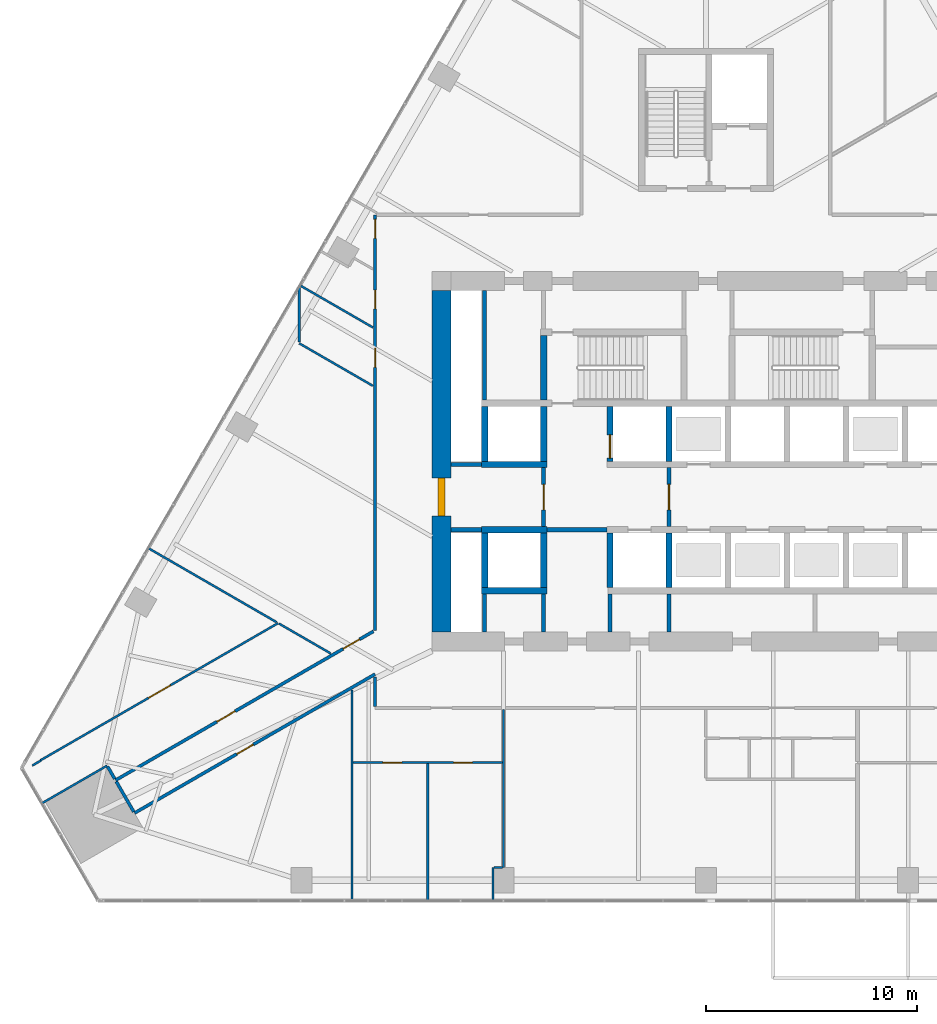
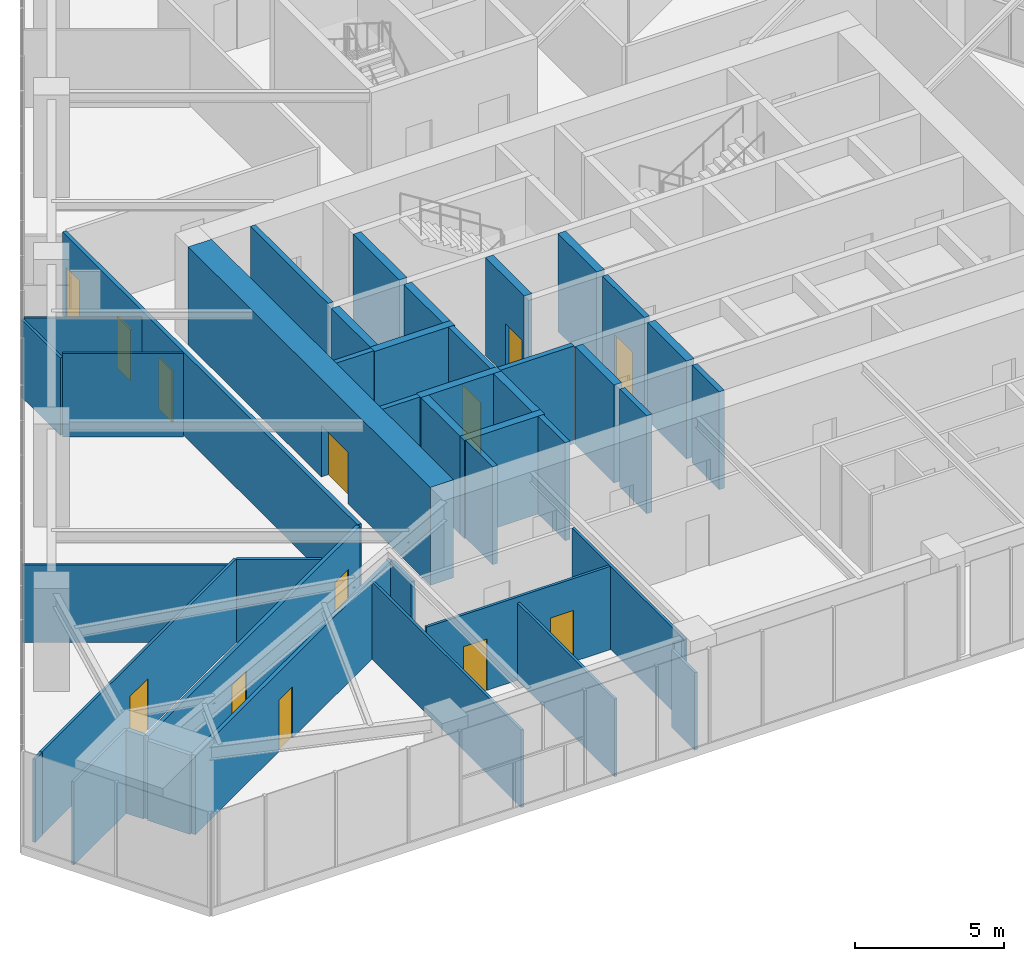
# One storey, part 23 of 29: 43 walls, 13 doors, 13 openings.
"""IFC4 building model written with IfcOpenShell, lengths in metres."""

from ifc_helpers import new_model, si_unit, direction, frame, frame_2d, origin, place, context, subcontext, project, spatial, rectangle, extrude, material, layer, layer_set, type_object, element, fill, save


model = new_model("IFC4")

# Units and contexts
model_context = context("Model", 3, precision=1e-05, world=origin(), true_north=direction((0.0, 1.0)))
body_context = subcontext(model_context, "Body", "Model", "MODEL_VIEW")
ifc_project = project(units=[si_unit("LENGTHUNIT", "METRE"), si_unit("AREAUNIT", "SQUARE_METRE"), si_unit("VOLUMEUNIT", "CUBIC_METRE"), si_unit("PLANEANGLEUNIT", "RADIAN"), si_unit("MASSUNIT", "GRAM", prefix="KILO")], contexts=[model_context])

# Site, building, storey
site_placement = place(None, origin())
site = spatial("IfcSite", under=ifc_project, at=site_placement, CompositionType="ELEMENT")
building_placement = place(site_placement, origin())
building = spatial("IfcBuilding", under=site, at=building_placement, Name="Firuza Gate Tower and Library", CompositionType="ELEMENT")
storey_placement = place(building_placement, frame((0.0, 0.0, 44.199951171875)))
storey = spatial("IfcBuildingStorey", under=building, at=storey_placement, Name="L09", CompositionType="ELEMENT", Elevation=44.199951171875)

# Walls
ifc_material_1 = material(Name="Plasterboard on steel studs", Category="steel")
ifc_layer_1 = layer(ifc_material_1, 0.199951171875)
ifc_layer_set_1 = layer_set([ifc_layer_1], Name="Core partition 200 EI 120")
wall_type_1 = type_object("IfcWallType", Name="Core partition 200 EI 120", PredefinedType="PARTITIONING", material=ifc_layer_set_1)
wall_1_placement = place(storey_placement, frame((62.89990234375, 71.75, 0.0), z_axis=(0.0, 0.0, 1.0), x_axis=(1.0, 0.0, 0.0)))
element("IfcWall", 1, at=wall_1_placement, inside=storey, type_object=wall_type_1, Name="Core partition L09 1", PredefinedType="PARTITIONING", context=body_context, shape_type="SweptSolid", body=[
    extrude(rectangle(XDim=1.4501953125, YDim=0.199951171875, at=frame_2d((0.72509765625, 0.0))), origin(), (0.0, 0.0, 1.0), 4.0),
])
wall_2_placement = place(storey_placement, frame((67.449951171875, 71.75, 0.0), z_axis=(0.0, 0.0, 1.0), x_axis=(1.0, 0.0, 0.0)))
element("IfcWall", 2, at=wall_2_placement, inside=storey, type_object=wall_type_1, Name="Core partition L09 2", PredefinedType="PARTITIONING", context=body_context, shape_type="SweptSolid", body=[
    extrude(rectangle(XDim=2.85009765625, YDim=0.199951171875, at=frame_2d((1.425048828125, 0.0))), origin(), (0.0, 0.0, 1.0), 4.0),
])
wall_3_placement = place(storey_placement, frame((62.89990234375, 74.85009765625, 0.0), z_axis=(0.0, 0.0, 1.0), x_axis=(1.0, 0.0, 0.0)))
element("IfcWall", 3, at=wall_3_placement, inside=storey, type_object=wall_type_1, Name="Core partition L09 3", PredefinedType="PARTITIONING", context=body_context, shape_type="SweptSolid", body=[
    extrude(rectangle(XDim=1.4501953125, YDim=0.199951171875, at=frame_2d((0.72509765625, 0.0))), origin(), (0.0, 0.0, 1.0), 4.0),
])
wall_4_placement = place(storey_placement, frame((64.5, 66.89990234375, 0.0), z_axis=(0.0, 0.0, 1.0), x_axis=(0.0, 1.0, 0.0)))
element("IfcWall", 4, at=wall_4_placement, inside=storey, type_object=wall_type_1, Name="Core partition L09 5", PredefinedType="PARTITIONING", context=body_context, shape_type="SweptSolid", body=[
    extrude(rectangle(XDim=1.800048828125, YDim=0.199951171875, at=frame_2d((0.89990234375, 0.0))), origin(), (0.0, 0.0, 1.0), 4.0),
])
wall_5_placement = place(storey_placement, frame((64.5, 77.89990234375, 0.0), z_axis=(0.0, 0.0, 1.0), x_axis=(0.0, 1.0, 0.0)))
element("IfcWall", 5, at=wall_5_placement, inside=storey, type_object=wall_type_1, Name="Core partition L09 6", PredefinedType="PARTITIONING", context=body_context, shape_type="SweptSolid", body=[
    extrude(rectangle(XDim=5.2001953125, YDim=0.199951171875, at=frame_2d((2.60009765625, 0.0))), origin(), (0.0, 0.0, 1.0), 4.0),
])
for number, where, z_axis, x_axis, name in (
    (6, (67.300048828125, 66.89990234375, 0.0), (0.0, 0.0, 1.0), (0.0, 1.0, 0.0), "Core partition L09 7"),
    (7, (70.449951171875, 66.89990234375, 0.0), (0.0, 0.0, 1.0), (0.0, 1.0, 0.0), "Core partition L09 10"),
    (8, (73.25, 66.89990234375, 0.0), (0.0, 0.0, 1.0), (0.0, 1.0, 0.0), "Core partition L09 11"),
):
    element("IfcWall", number, at=place(storey_placement, frame(where, z_axis=z_axis, x_axis=x_axis)), inside=storey, type_object=wall_type_1, Name=name, PredefinedType="PARTITIONING", context=body_context, shape_type="SweptSolid", body=[
        extrude(rectangle(XDim=1.800048828125, YDim=0.199951171875, at=frame_2d((0.89990234375, 0.0))), origin(), (0.0, 0.0, 1.0), 4.0),
    ])

# Wall, opening, door
ifc_material_2 = material(Name="Plasterboard on steel studs", Category="steel")
ifc_layer_2 = layer(ifc_material_2, 0.199951171875)
ifc_layer_set_2 = layer_set([ifc_layer_2], Name="Core partition 200 EI 60")
wall_type_2 = type_object("IfcWallType", Name="Core partition 200 EI 60", PredefinedType="PARTITIONING", material=ifc_layer_set_2)
wall_6_placement = place(storey_placement, frame((67.300048828125, 71.89990234375, 0.0), z_axis=(0.0, 0.0, 1.0), x_axis=(0.0, 1.0, 0.0)))
wall_6 = element("IfcWall", 9, at=wall_6_placement, inside=storey, type_object=wall_type_2, Name="Core partition L09 8", PredefinedType="PARTITIONING", context=body_context, shape_type="SweptSolid", body=[
    extrude(rectangle(XDim=2.800048828125, YDim=0.199951171875, at=frame_2d((1.39990234375, 0.0))), origin(), (0.0, 0.0, 1.0), 4.0),
])
opening_1_placement = place(wall_6_placement, frame((0.800048828125, 0.0, 0.0)))
opening_1 = element("IfcOpeningElement", 10, at=opening_1_placement, cuts=wall_6, Name="Opening L09-K21", PredefinedType="OPENING", context=body_context, shape_type="SweptSolid", body=[
    extrude(rectangle(XDim=1.199951171875, YDim=2.10009765625, at=frame_2d((0.60009765625, 1.050048828125))), frame((0.0, 0.10986328125, 0.0), z_axis=(0.0, -1.0, 0.0), x_axis=(1.0, 0.0, 0.0)), (0.0, 0.0, 1.0), 0.219970703125),
])
ifc_material_3 = material(Name="Steel", Category="steel")
door_type_1 = type_object("IfcDoorType", Name="Fire door 1200x2100 FD90S", OperationType="NOTDEFINED", PredefinedType="DOOR", material=ifc_material_3)
door_1_placement = place(opening_1_placement, origin())
door_1 = element("IfcDoor", 11, at=door_1_placement, inside=storey, type_object=door_type_1, Name="Door L09-K21", OperationType="SINGLE_SWING_RIGHT", OverallHeight=2.10009765625, OverallWidth=1.199951171875, PredefinedType="DOOR", context=body_context, shape_type="SweptSolid", body=[
    extrude(rectangle(XDim=1.199951171875, YDim=2.10009765625, at=frame_2d((0.60009765625, 1.050048828125))), frame((0.0, 0.02490234375, 0.0), z_axis=(0.0, -1.0, 0.0), x_axis=(1.0, 0.0, 0.0)), (0.0, 0.0, 1.0), 0.050048828125),
])
fill(opening_1, door_1)

wall_7_placement = place(storey_placement, frame((73.25, 71.89990234375, 0.0), z_axis=(0.0, 0.0, 1.0), x_axis=(0.0, 1.0, 0.0)))
wall_7 = element("IfcWall", 12, at=wall_7_placement, inside=storey, type_object=wall_type_2, Name="Core partition L09 12", PredefinedType="PARTITIONING", context=body_context, shape_type="SweptSolid", body=[
    extrude(rectangle(XDim=2.800048828125, YDim=0.199951171875, at=frame_2d((1.39990234375, 0.0))), origin(), (0.0, 0.0, 1.0), 4.0),
])
opening_2_placement = place(wall_7_placement, frame((0.800048828125, 0.0, 0.0)))
opening_2 = element("IfcOpeningElement", 13, at=opening_2_placement, cuts=wall_7, Name="Opening L09-K20", PredefinedType="OPENING", context=body_context, shape_type="SweptSolid", body=[
    extrude(rectangle(XDim=1.199951171875, YDim=2.10009765625, at=frame_2d((0.60009765625, 1.050048828125))), frame((0.0, 0.10986328125, 0.0), z_axis=(0.0, -1.0, 0.0), x_axis=(1.0, 0.0, 0.0)), (0.0, 0.0, 1.0), 0.219970703125),
])
door_2_placement = place(opening_2_placement, origin())
door_2 = element("IfcDoor", 14, at=door_2_placement, inside=storey, type_object=door_type_1, Name="Door L09-K20", OperationType="SINGLE_SWING_LEFT", OverallHeight=2.10009765625, OverallWidth=1.199951171875, PredefinedType="DOOR", context=body_context, shape_type="SweptSolid", body=[
    extrude(rectangle(XDim=1.199951171875, YDim=2.10009765625, at=frame_2d((0.60009765625, 1.050048828125))), frame((0.0, 0.02490234375, 0.0), z_axis=(0.0, -1.0, 0.0), x_axis=(1.0, 0.0, 0.0)), (0.0, 0.0, 1.0), 0.050048828125),
])
fill(opening_2, door_2)

# Walls
ifc_material_4 = material(Name="Concrete C80/95", Category="concrete")
ifc_layer_3 = layer(ifc_material_4, 0.300048828125)
ifc_layer_set_3 = layer_set([ifc_layer_3], Name="Core wall 300 C80/95")
wall_type_3 = type_object("IfcWallType", Name="Core wall 300 C80/95", PredefinedType="SHEAR", material=ifc_layer_set_3)
for number, where, z_axis, x_axis, name in (
    (15, (64.35009765625, 68.85009765625, 0.0), (0.0, 0.0, 1.0), (1.0, 0.0, 0.0), "Core wall L09 5"),
    (16, (64.35009765625, 71.75, 0.0), (0.0, 0.0, 1.0), (1.0, 0.0, 0.0), "Core wall L09 7"),
    (17, (64.35009765625, 74.85009765625, 0.0), (0.0, 0.0, 1.0), (1.0, 0.0, 0.0), "Core wall L09 9"),
):
    element("IfcWall", number, at=place(storey_placement, frame(where, z_axis=z_axis, x_axis=x_axis)), inside=storey, type_object=wall_type_3, Name=name, PredefinedType="SHEAR", context=body_context, shape_type="SweptSolid", body=[
        extrude(rectangle(XDim=3.099853515625, YDim=0.300048828125, at=frame_2d((1.5498046875, 0.0))), origin(), (0.0, 0.0, 1.0), 4.0),
    ])
for number, where, z_axis, x_axis, name in (
    (18, (64.5, 69.0, 0.0), (0.0, 0.0, 1.0), (0.0, 1.0, 0.0), "Core wall L09 11"),
    (19, (64.5, 75.0, 0.0), (0.0, 0.0, 1.0), (0.0, 1.0, 0.0), "Core wall L09 12"),
    (20, (67.300048828125, 69.0, 0.0), (0.0, 0.0, 1.0), (0.0, 1.0, 0.0), "Core wall L09 13"),
    (21, (67.300048828125, 75.0, 0.0), (0.0, 0.0, 1.0), (0.0, 1.0, 0.0), "Core wall L09 14"),
    (22, (70.449951171875, 69.0, 0.0), (0.0, 0.0, 1.0), (0.0, 1.0, 0.0), "Core wall L09 15"),
):
    element("IfcWall", number, at=place(storey_placement, frame(where, z_axis=z_axis, x_axis=x_axis)), inside=storey, type_object=wall_type_3, Name=name, PredefinedType="SHEAR", context=body_context, shape_type="SweptSolid", body=[
        extrude(rectangle(XDim=2.60009765625, YDim=0.300048828125, at=frame_2d((1.300048828125, 0.0))), origin(), (0.0, 0.0, 1.0), 4.0),
    ])

# Wall, opening, door
wall_8_placement = place(storey_placement, frame((70.449951171875, 75.0, 0.0), z_axis=(0.0, 0.0, 1.0), x_axis=(0.0, 1.0, 0.0)))
wall_8 = element("IfcWall", 23, at=wall_8_placement, inside=storey, type_object=wall_type_3, Name="Core wall L09 16", PredefinedType="SHEAR", context=body_context, shape_type="SweptSolid", body=[
    extrude(rectangle(XDim=2.60009765625, YDim=0.300048828125, at=frame_2d((1.300048828125, 0.0))), origin(), (0.0, 0.0, 1.0), 4.0),
])
opening_3_placement = place(wall_8_placement, frame((0.14990234375, 0.0, 0.0)))
opening_3 = element("IfcOpeningElement", 24, at=opening_3_placement, cuts=wall_8, Name="Opening LD-FF2-L09", PredefinedType="OPENING", context=body_context, shape_type="SweptSolid", body=[
    extrude(rectangle(XDim=1.10009765625, YDim=2.10009765625, at=frame_2d((0.550048828125, 1.050048828125))), frame((0.0, 0.16015625, 0.0), z_axis=(0.0, -1.0, 0.0), x_axis=(1.0, 0.0, 0.0)), (0.0, 0.0, 1.0), 0.320068359375),
])
ifc_material_5 = material(Name="Stainless steel", Category="steel")
door_type_2 = type_object("IfcDoorType", Name="Lift landing door 1100x2100", OperationType="DOUBLE_DOOR_SLIDING", PredefinedType="DOOR", material=ifc_material_5)
door_3_placement = place(opening_3_placement, origin())
door_3 = element("IfcDoor", 25, at=door_3_placement, inside=storey, type_object=door_type_2, Name="Landing door FF2 L09", OperationType="DOUBLE_DOOR_SLIDING", OverallHeight=2.10009765625, OverallWidth=1.10009765625, PredefinedType="DOOR", context=body_context, shape_type="SweptSolid", body=[
    extrude(rectangle(XDim=1.10009765625, YDim=2.10009765625, at=frame_2d((0.550048828125, 1.050048828125))), frame((0.0, 0.02490234375, 0.0), z_axis=(0.0, -1.0, 0.0), x_axis=(1.0, 0.0, 0.0)), (0.0, 0.0, 1.0), 0.050048828125),
])
fill(opening_3, door_3)

# Walls
for number, where, z_axis, x_axis, name in (
    (26, (73.25, 69.0, 0.0), (0.0, 0.0, 1.0), (0.0, 1.0, 0.0), "Core wall L09 17"),
    (27, (73.25, 75.0, 0.0), (0.0, 0.0, 1.0), (0.0, 1.0, 0.0), "Core wall L09 18"),
):
    element("IfcWall", number, at=place(storey_placement, frame(where, z_axis=z_axis, x_axis=x_axis)), inside=storey, type_object=wall_type_3, Name=name, PredefinedType="SHEAR", context=body_context, shape_type="SweptSolid", body=[
        extrude(rectangle(XDim=2.60009765625, YDim=0.300048828125, at=frame_2d((1.300048828125, 0.0))), origin(), (0.0, 0.0, 1.0), 4.0),
    ])
wall_9_placement = place(storey_placement, frame((67.300048828125, 77.89990234375, 0.0), z_axis=(0.0, 0.0, 1.0), x_axis=(0.0, 1.0, 0.0)))
element("IfcWall", 28, at=wall_9_placement, inside=storey, type_object=wall_type_3, Name="Core wall L09 30", PredefinedType="SHEAR", context=body_context, shape_type="SweptSolid", body=[
    extrude(rectangle(XDim=3.080078125, YDim=0.300048828125, at=frame_2d((1.5400390625, 0.0))), origin(), (0.0, 0.0, 1.0), 4.0),
])

# Wall, opening, door
ifc_material_6 = material(Name="Concrete C80/95", Category="concrete")
ifc_layer_4 = layer(ifc_material_6, 0.89990234375)
ifc_layer_set_4 = layer_set([ifc_layer_4], Name="Core wall 900 C80/95")
wall_type_4 = type_object("IfcWallType", Name="Core wall 900 C80/95", PredefinedType="SHEAR", material=ifc_layer_set_4)
wall_10_placement = place(storey_placement, frame((62.449951171875, 66.89990234375, 0.0), z_axis=(0.0, 0.0, 1.0), x_axis=(0.0, 1.0, 0.0)))
wall_10 = element("IfcWall", 29, at=wall_10_placement, inside=storey, type_object=wall_type_4, Name="Core wall L09 3", PredefinedType="SHEAR", context=body_context, shape_type="SweptSolid", body=[
    extrude(rectangle(XDim=16.2001953125, YDim=0.89990234375, at=frame_2d((8.10009765625, 0.0))), origin(), (0.0, 0.0, 1.0), 4.0),
])
opening_4_placement = place(wall_10_placement, frame((5.5, 0.0, 0.0)))
opening_4 = element("IfcOpeningElement", 30, at=opening_4_placement, cuts=wall_10, Name="Opening L09-K22", PredefinedType="OPENING", context=body_context, shape_type="SweptSolid", body=[
    extrude(rectangle(XDim=1.800048828125, YDim=2.10009765625, at=frame_2d((0.89990234375, 1.050048828125))), frame((0.0, 0.4599609375, 0.0), z_axis=(0.0, -1.0, 0.0), x_axis=(1.0, 0.0, 0.0)), (0.0, 0.0, 1.0), 0.919921875),
])
ifc_material_7 = material(Name="Steel", Category="steel")
door_type_3 = type_object("IfcDoorType", Name="Fire door 1800x2100 FD30S", OperationType="NOTDEFINED", PredefinedType="DOOR", material=ifc_material_7)
door_4_placement = place(opening_4_placement, origin())
door_4 = element("IfcDoor", 31, at=door_4_placement, inside=storey, type_object=door_type_3, Name="Door L09-K22", OperationType="SINGLE_SWING_LEFT", OverallHeight=2.10009765625, OverallWidth=1.800048828125, PredefinedType="DOOR", context=body_context, shape_type="SweptSolid", body=[
    extrude(rectangle(XDim=1.800048828125, YDim=2.10009765625, at=frame_2d((0.89990234375, 1.050048828125))), frame((0.0, 0.169921875, 0.0), z_axis=(0.0, -1.0, 0.0), x_axis=(1.0, 0.0, 0.0)), (0.0, 0.0, 1.0), 0.33984375),
])
fill(opening_4, door_4)

ifc_material_8 = material(Name="Gypsum board partition")
ifc_layer_5 = layer(ifc_material_8, 0.14990234375)
ifc_layer_set_5 = layer_set([ifc_layer_5], Name="Corridor wall 150 double board on steel studs")
wall_type_5 = type_object("IfcWallType", Name="Corridor wall 150 double board on steel studs", PredefinedType="PARTITIONING", material=ifc_layer_set_5)
wall_11_placement = place(storey_placement, frame((59.300048828125, 64.896484375, 0.0), z_axis=(0.0, 0.0, 1.0), x_axis=(-0.866022774611, -0.500004553834, 0.0)))
wall_11 = element("IfcWall", 32, at=wall_11_placement, inside=storey, type_object=wall_type_5, Name="f:L09:w016", PredefinedType="PARTITIONING", context=body_context, shape_type="SweptSolid", body=[
    extrude(rectangle(XDim=13.18505859375, YDim=0.14990234375, at=frame_2d((6.592529296875, 0.0))), origin(), (0.0, 0.0, 1.0), 3.2470703125),
])
opening_5_placement = place(wall_11_placement, frame((6.676025390625, 0.0, 0.0)))
opening_5 = element("IfcOpeningElement", 33, at=opening_5_placement, cuts=wall_11, Name="Opening L09-16", PredefinedType="OPENING", context=body_context, shape_type="SweptSolid", body=[
    extrude(rectangle(XDim=0.89990234375, YDim=2.10009765625, at=frame_2d((0.449951171875, 1.050048828125))), frame((0.0, 0.0849609375, 0.0), z_axis=(0.0, -1.0, 0.0), x_axis=(1.0, 0.0, 0.0)), (0.0, 0.0, 1.0), 0.169921875),
])
ifc_material_9 = material(Name="Steel door and timber leaf", Category="steel")
door_type_4 = type_object("IfcDoorType", Name="Fire door 900 x 2100 steel frame, timber leaf", OperationType="NOTDEFINED", PredefinedType="DOOR", material=ifc_material_9)
door_5_placement = place(opening_5_placement, origin())
door_5 = element("IfcDoor", 34, at=door_5_placement, inside=storey, type_object=door_type_4, Name="f:L09:d016", OperationType="SINGLE_SWING_RIGHT", OverallHeight=2.10009765625, OverallWidth=0.89990234375, PredefinedType="DOOR", context=body_context, shape_type="SweptSolid", body=[
    extrude(rectangle(XDim=0.89990234375, YDim=2.10009765625, at=frame_2d((0.449951171875, 1.050048828125))), frame((0.0, 0.02490234375, 0.0), z_axis=(0.0, -1.0, 0.0), x_axis=(1.0, 0.0, 0.0)), (0.0, 0.0, 1.0), 0.050048828125),
])
fill(opening_5, door_5)

# Wall, openings, doors
wall_12_placement = place(storey_placement, frame((46.98095703125, 59.862548828125, 0.0), z_axis=(0.0, 0.0, 1.0), x_axis=(0.866023110832, 0.500003971489, 0.0)))
wall_12 = element("IfcWall", 35, at=wall_12_placement, inside=storey, type_object=wall_type_5, Name="f:L09:w017", PredefinedType="PARTITIONING", context=body_context, shape_type="SweptSolid", body=[
    extrude(rectangle(XDim=14.13818359375, YDim=0.14990234375, at=frame_2d((7.069091796875, 0.0))), origin(), (0.0, 0.0, 1.0), 3.400146484375),
])
opening_6_placement = place(wall_12_placement, frame((5.55908203125, 0.0, 0.0)))
opening_6 = element("IfcOpeningElement", 36, at=opening_6_placement, cuts=wall_12, Name="Opening L09-17", PredefinedType="OPENING", context=body_context, shape_type="SweptSolid", body=[
    extrude(rectangle(XDim=1.0, YDim=2.10009765625, at=frame_2d((0.5, 1.050048828125))), frame((0.0, 0.0849609375, 0.0), z_axis=(0.0, -1.0, 0.0), x_axis=(1.0, 0.0, 0.0)), (0.0, 0.0, 1.0), 0.169921875),
])
opening_7_placement = place(wall_12_placement, frame((12.474853515625, 0.0, 0.0)))
opening_7 = element("IfcOpeningElement", 37, at=opening_7_placement, cuts=wall_12, Name="Opening L09-18", PredefinedType="OPENING", context=body_context, shape_type="SweptSolid", body=[
    extrude(rectangle(XDim=0.89990234375, YDim=2.10009765625, at=frame_2d((0.449951171875, 1.050048828125))), frame((0.0, 0.0849609375, 0.0), z_axis=(0.0, -1.0, 0.0), x_axis=(1.0, 0.0, 0.0)), (0.0, 0.0, 1.0), 0.169921875),
])
ifc_material_10 = material(Name="Steel door and timber leaf", Category="steel")
door_type_5 = type_object("IfcDoorType", Name="Fire door 1000 x 2100 steel frame, timber leaf", OperationType="NOTDEFINED", PredefinedType="DOOR", material=ifc_material_10)
door_6_placement = place(opening_6_placement, origin())
door_6 = element("IfcDoor", 38, at=door_6_placement, inside=storey, type_object=door_type_5, Name="f:L09:d017", OperationType="SINGLE_SWING_RIGHT", OverallHeight=2.10009765625, OverallWidth=1.0, PredefinedType="DOOR", context=body_context, shape_type="SweptSolid", body=[
    extrude(rectangle(XDim=1.0, YDim=2.10009765625, at=frame_2d((0.5, 1.050048828125))), frame((0.0, 0.02490234375, 0.0), z_axis=(0.0, -1.0, 0.0), x_axis=(1.0, 0.0, 0.0)), (0.0, 0.0, 1.0), 0.050048828125),
])
fill(opening_6, door_6)
door_7_placement = place(opening_7_placement, origin())
door_7 = element("IfcDoor", 39, at=door_7_placement, inside=storey, type_object=door_type_4, Name="f:L09:d018", OperationType="SINGLE_SWING_RIGHT", OverallHeight=2.10009765625, OverallWidth=0.89990234375, PredefinedType="DOOR", context=body_context, shape_type="SweptSolid", body=[
    extrude(rectangle(XDim=0.89990234375, YDim=2.10009765625, at=frame_2d((0.449951171875, 1.050048828125))), frame((0.0, 0.02490234375, 0.0), z_axis=(0.0, -1.0, 0.0), x_axis=(1.0, 0.0, 0.0)), (0.0, 0.0, 1.0), 0.050048828125),
])
fill(opening_7, door_7)

# Wall
wall_13_placement = place(storey_placement, frame((59.300048828125, 63.375, 0.0), z_axis=(0.0, 0.0, 1.0), x_axis=(0.0, 1.0, 0.0)))
element("IfcWall", 40, at=wall_13_placement, inside=storey, type_object=wall_type_5, Name="f:L09:w048", PredefinedType="PARTITIONING", context=body_context, shape_type="SweptSolid", body=[
    extrude(rectangle(XDim=1.384765625, YDim=0.14990234375, at=frame_2d((0.6923828125, 0.0))), origin(), (0.0, 0.0, 1.0), 3.2470703125),
])

# Wall, openings, doors
wall_14_placement = place(storey_placement, frame((59.300048828125, 66.974853515625, 0.0), z_axis=(0.0, 0.0, 1.0), x_axis=(0.0, 1.0, 0.0)))
wall_14 = element("IfcWall", 41, at=wall_14_placement, inside=storey, type_object=wall_type_5, Name="f:L09:w049", PredefinedType="PARTITIONING", context=body_context, shape_type="SweptSolid", body=[
    extrude(rectangle(XDim=19.724609375, YDim=0.14990234375, at=frame_2d((9.8623046875, 0.0))), origin(), (0.0, 0.0, 1.0), 3.400146484375),
])
opening_8_placement = place(wall_14_placement, frame((12.48291015625, 0.0, 0.0)))
opening_8 = element("IfcOpeningElement", 42, at=opening_8_placement, cuts=wall_14, Name="Opening L09-25", PredefinedType="OPENING", context=body_context, shape_type="SweptSolid", body=[
    extrude(rectangle(XDim=0.89990234375, YDim=2.10009765625, at=frame_2d((0.449951171875, 1.050048828125))), frame((0.0, 0.0849609375, 0.0), z_axis=(0.0, -1.0, 0.0), x_axis=(1.0, 0.0, 0.0)), (0.0, 0.0, 1.0), 0.169921875),
])
opening_9_placement = place(wall_14_placement, frame((15.254150390625, 0.0, 0.0)))
opening_9 = element("IfcOpeningElement", 43, at=opening_9_placement, cuts=wall_14, Name="Opening L09-26", PredefinedType="OPENING", context=body_context, shape_type="SweptSolid", body=[
    extrude(rectangle(XDim=0.89990234375, YDim=2.10009765625, at=frame_2d((0.449951171875, 1.050048828125))), frame((0.0, 0.0849609375, 0.0), z_axis=(0.0, -1.0, 0.0), x_axis=(1.0, 0.0, 0.0)), (0.0, 0.0, 1.0), 0.169921875),
])
opening_10_placement = place(wall_14_placement, frame((18.605712890625, 0.0, 0.0)))
opening_10 = element("IfcOpeningElement", 44, at=opening_10_placement, cuts=wall_14, Name="Opening L09-27", PredefinedType="OPENING", context=body_context, shape_type="SweptSolid", body=[
    extrude(rectangle(XDim=0.89990234375, YDim=2.10009765625, at=frame_2d((0.449951171875, 1.050048828125))), frame((0.0, 0.0849609375, 0.0), z_axis=(0.0, -1.0, 0.0), x_axis=(1.0, 0.0, 0.0)), (0.0, 0.0, 1.0), 0.169921875),
])
door_8_placement = place(opening_8_placement, origin())
door_8 = element("IfcDoor", 45, at=door_8_placement, inside=storey, type_object=door_type_4, Name="f:L09:d025", OperationType="SINGLE_SWING_LEFT", OverallHeight=2.10009765625, OverallWidth=0.89990234375, PredefinedType="DOOR", context=body_context, shape_type="SweptSolid", body=[
    extrude(rectangle(XDim=0.89990234375, YDim=2.10009765625, at=frame_2d((0.449951171875, 1.050048828125))), frame((0.0, 0.02490234375, 0.0), z_axis=(0.0, -1.0, 0.0), x_axis=(1.0, 0.0, 0.0)), (0.0, 0.0, 1.0), 0.050048828125),
])
fill(opening_8, door_8)
door_9_placement = place(opening_9_placement, origin())
door_9 = element("IfcDoor", 46, at=door_9_placement, inside=storey, type_object=door_type_4, Name="f:L09:d026", OperationType="SINGLE_SWING_RIGHT", OverallHeight=2.10009765625, OverallWidth=0.89990234375, PredefinedType="DOOR", context=body_context, shape_type="SweptSolid", body=[
    extrude(rectangle(XDim=0.89990234375, YDim=2.10009765625, at=frame_2d((0.449951171875, 1.050048828125))), frame((0.0, 0.02490234375, 0.0), z_axis=(0.0, -1.0, 0.0), x_axis=(1.0, 0.0, 0.0)), (0.0, 0.0, 1.0), 0.050048828125),
])
fill(opening_9, door_9)
door_10_placement = place(opening_10_placement, origin())
door_10 = element("IfcDoor", 47, at=door_10_placement, inside=storey, type_object=door_type_4, Name="f:L09:d027", OperationType="SINGLE_SWING_LEFT", OverallHeight=2.10009765625, OverallWidth=0.89990234375, PredefinedType="DOOR", context=body_context, shape_type="SweptSolid", body=[
    extrude(rectangle(XDim=0.89990234375, YDim=2.10009765625, at=frame_2d((0.449951171875, 1.050048828125))), frame((0.0, 0.02490234375, 0.0), z_axis=(0.0, -1.0, 0.0), x_axis=(1.0, 0.0, 0.0)), (0.0, 0.0, 1.0), 0.050048828125),
])
fill(opening_10, door_10)

# Walls
wall_15_placement = place(storey_placement, frame((47.84326171875, 58.369140625, 0.0), z_axis=(0.0, 0.0, 1.0), x_axis=(-0.499991515992, 0.866030301974, 0.0)))
element("IfcWall", 48, at=wall_15_placement, inside=storey, type_object=wall_type_5, Name="f:L09:w053", PredefinedType="PARTITIONING", context=body_context, shape_type="SweptSolid", body=[
    extrude(rectangle(XDim=1.6494140625, YDim=0.14990234375, at=frame_2d((0.82470703125, 0.0))), origin(), (0.0, 0.0, 1.0), 3.2470703125),
])
wall_16_placement = place(storey_placement, frame((46.943603515625, 59.927490234375, 0.0), z_axis=(0.0, 0.0, 1.0), x_axis=(-0.500265536072, 0.865872042174, 0.0)))
element("IfcWall", 49, at=wall_16_placement, inside=storey, type_object=wall_type_5, Name="f:L09:w069", PredefinedType="PARTITIONING", context=body_context, shape_type="SweptSolid", body=[
    extrude(rectangle(XDim=0.674560546875, YDim=0.14990234375, at=frame_2d((0.33740234375, 0.0))), origin(), (0.0, 0.0, 1.0), 3.400146484375),
])
ifc_material_11 = material(Name="Gypsum board partition")
ifc_layer_6 = layer(ifc_material_11, 0.10009765625)
ifc_layer_set_6 = layer_set([ifc_layer_6], Name="Partition 100 gypsum board on steel studs")
wall_type_6 = type_object("IfcWallType", Name="Partition 100 gypsum board on steel studs", PredefinedType="PARTITIONING", material=ifc_layer_set_6)
wall_17_placement = place(storey_placement, frame((64.950439453125, 55.715087890625, 0.0), z_axis=(0.0, 0.0, 1.0), x_axis=(1.0, 0.0, 0.0)))
element("IfcWall", 50, at=wall_17_placement, inside=storey, type_object=wall_type_6, Name="f:L09:w000", PredefinedType="PARTITIONING", context=body_context, shape_type="SweptSolid", body=[
    extrude(rectangle(XDim=0.399169921875, YDim=0.10009765625, at=frame_2d((0.19970703125, 0.0))), origin(), (0.0, 0.0, 1.0), 3.400146484375),
])

# Wall, openings, doors
wall_18_placement = place(storey_placement, frame((58.25, 60.699951171875, 0.0), z_axis=(0.0, 0.0, 1.0), x_axis=(1.0, 0.0, 0.0)))
wall_18 = element("IfcWall", 51, at=wall_18_placement, inside=storey, type_object=wall_type_6, Name="f:L09:w003", PredefinedType="PARTITIONING", context=body_context, shape_type="SweptSolid", body=[
    extrude(rectangle(XDim=7.10009765625, YDim=0.10009765625, at=frame_2d((3.550048828125, 0.0))), origin(), (0.0, 0.0, 1.0), 3.400146484375),
])
opening_11_placement = place(wall_18_placement, frame((1.426513671875, 0.0, 0.0)))
opening_11 = element("IfcOpeningElement", 52, at=opening_11_placement, cuts=wall_18, Name="Opening L09-01", PredefinedType="OPENING", context=body_context, shape_type="SweptSolid", body=[
    extrude(rectangle(XDim=0.89990234375, YDim=2.10009765625, at=frame_2d((0.449951171875, 1.050048828125))), frame((0.0, 0.06005859375, 0.0), z_axis=(0.0, -1.0, 0.0), x_axis=(1.0, 0.0, 0.0)), (0.0, 0.0, 1.0), 0.1201171875),
])
opening_12_placement = place(wall_18_placement, frame((4.7734375, 0.0, 0.0)))
opening_12 = element("IfcOpeningElement", 53, at=opening_12_placement, cuts=wall_18, Name="Opening L09-02", PredefinedType="OPENING", context=body_context, shape_type="SweptSolid", body=[
    extrude(rectangle(XDim=0.89990234375, YDim=2.10009765625, at=frame_2d((0.449951171875, 1.050048828125))), frame((0.0, 0.06005859375, 0.0), z_axis=(0.0, -1.0, 0.0), x_axis=(1.0, 0.0, 0.0)), (0.0, 0.0, 1.0), 0.1201171875),
])
ifc_material_12 = material(Name="Timber door", Category="wood")
door_type_6 = type_object("IfcDoorType", Name="Door 900 x 2100 timber leaf", OperationType="NOTDEFINED", PredefinedType="DOOR", material=ifc_material_12)
door_11_placement = place(opening_11_placement, origin())
door_11 = element("IfcDoor", 54, at=door_11_placement, inside=storey, type_object=door_type_6, Name="f:L09:d001", OperationType="SINGLE_SWING_LEFT", OverallHeight=2.10009765625, OverallWidth=0.89990234375, PredefinedType="DOOR", context=body_context, shape_type="SweptSolid", body=[
    extrude(rectangle(XDim=0.89990234375, YDim=2.10009765625, at=frame_2d((0.449951171875, 1.050048828125))), frame((0.0, 0.02490234375, 0.0), z_axis=(0.0, -1.0, 0.0), x_axis=(1.0, 0.0, 0.0)), (0.0, 0.0, 1.0), 0.050048828125),
])
fill(opening_11, door_11)
door_12_placement = place(opening_12_placement, origin())
door_12 = element("IfcDoor", 55, at=door_12_placement, inside=storey, type_object=door_type_6, Name="f:L09:d002", OperationType="SINGLE_SWING_RIGHT", OverallHeight=2.10009765625, OverallWidth=0.89990234375, PredefinedType="DOOR", context=body_context, shape_type="SweptSolid", body=[
    extrude(rectangle(XDim=0.89990234375, YDim=2.10009765625, at=frame_2d((0.449951171875, 1.050048828125))), frame((0.0, 0.02490234375, 0.0), z_axis=(0.0, -1.0, 0.0), x_axis=(1.0, 0.0, 0.0)), (0.0, 0.0, 1.0), 0.050048828125),
])
fill(opening_12, door_12)

# Walls
wall_19_placement = place(storey_placement, frame((43.498291015625, 58.77490234375, 0.0), z_axis=(0.0, 0.0, 1.0), x_axis=(0.866014251095, 0.500019316528, 0.0)))
element("IfcWall", 56, at=wall_19_placement, inside=storey, type_object=wall_type_6, Name="f:L09:w018", PredefinedType="PARTITIONING", context=body_context, shape_type="SweptSolid", body=[
    extrude(rectangle(XDim=3.559326171875, YDim=0.10009765625, at=frame_2d((1.77978515625, 0.0))), origin(), (0.0, 0.0, 1.0), 3.400146484375),
])
wall_20_placement = place(storey_placement, frame((43.029541015625, 60.560302734375, 0.0), z_axis=(0.0, 0.0, 1.0), x_axis=(0.866073792734, 0.499916178513, 0.0)))
element("IfcWall", 57, at=wall_20_placement, inside=storey, type_object=wall_type_6, Name="f:L09:w019", PredefinedType="PARTITIONING", context=body_context, shape_type="SweptSolid", body=[
    extrude(rectangle(XDim=0.47265625, YDim=0.10009765625, at=frame_2d((0.236328125, 0.0))), origin(), (0.0, 0.0, 1.0), 3.400146484375),
])

# Wall, opening, door
wall_21_placement = place(storey_placement, frame((54.699951171875, 67.3212890625, 0.0), z_axis=(0.0, 0.0, 1.0), x_axis=(-0.866023761488, -0.500002844531, 0.0)))
wall_21 = element("IfcWall", 58, at=wall_21_placement, inside=storey, type_object=wall_type_6, Name="f:L09:w020", PredefinedType="PARTITIONING", context=body_context, shape_type="SweptSolid", body=[
    extrude(rectangle(XDim=13.01416015625, YDim=0.10009765625, at=frame_2d((6.507080078125, 0.0))), origin(), (0.0, 0.0, 1.0), 3.400146484375),
])
opening_13_placement = place(wall_21_placement, frame((5.906982421875, 0.0, 0.0)))
opening_13 = element("IfcOpeningElement", 59, at=opening_13_placement, cuts=wall_21, Name="Opening L09-19", PredefinedType="OPENING", context=body_context, shape_type="SweptSolid", body=[
    extrude(rectangle(XDim=1.199951171875, YDim=2.10009765625, at=frame_2d((0.60009765625, 1.050048828125))), frame((0.0, 0.06005859375, 0.0), z_axis=(0.0, -1.0, 0.0), x_axis=(1.0, 0.0, 0.0)), (0.0, 0.0, 1.0), 0.1201171875),
])
ifc_material_13 = material(Name="Glazed aluminium door", Category="aluminium")
door_type_7 = type_object("IfcDoorType", Name="Door 1200 x 2100 glazed double leaf", OperationType="NOTDEFINED", PredefinedType="DOOR", material=ifc_material_13)
door_13_placement = place(opening_13_placement, origin())
door_13 = element("IfcDoor", 60, at=door_13_placement, inside=storey, type_object=door_type_7, Name="f:L09:d019", OperationType="DOUBLE_DOOR_SINGLE_SWING", OverallHeight=2.10009765625, OverallWidth=1.199951171875, PredefinedType="DOOR", context=body_context, shape_type="SweptSolid", body=[
    extrude(rectangle(XDim=1.199951171875, YDim=2.10009765625, at=frame_2d((0.60009765625, 1.050048828125))), frame((0.0, 0.02490234375, 0.0), z_axis=(0.0, -1.0, 0.0), x_axis=(1.0, 0.0, 0.0)), (0.0, 0.0, 1.0), 0.050048828125),
])
fill(opening_13, door_13)

# Walls
wall_22_placement = place(storey_placement, frame((65.39990234375, 55.7158203125, 0.0), z_axis=(0.0, 0.0, 1.0), x_axis=(0.0, 1.0, 0.0)))
element("IfcWall", 61, at=wall_22_placement, inside=storey, type_object=wall_type_6, Name="f:L09:w045", PredefinedType="PARTITIONING", context=body_context, shape_type="SweptSolid", body=[
    extrude(rectangle(XDim=7.50927734375, YDim=0.10009765625, at=frame_2d((3.754638671875, 0.0))), origin(), (0.0, 0.0, 1.0), 3.400146484375),
])
wall_23_placement = place(storey_placement, frame((64.89990234375, 54.1552734375, 0.0), z_axis=(0.0, 0.0, 1.0), x_axis=(0.0, 1.0, 0.0)))
element("IfcWall", 62, at=wall_23_placement, inside=storey, type_object=wall_type_6, Name="f:L09:w046", PredefinedType="PARTITIONING", context=body_context, shape_type="SweptSolid", body=[
    extrude(rectangle(XDim=1.5595703125, YDim=0.10009765625, at=frame_2d((0.77978515625, 0.0))), origin(), (0.0, 0.0, 1.0), 3.1650390625),
])
wall_24_placement = place(storey_placement, frame((61.800048828125, 54.1552734375, 0.0), z_axis=(0.0, 0.0, 1.0), x_axis=(0.0, 1.0, 0.0)))
element("IfcWall", 63, at=wall_24_placement, inside=storey, type_object=wall_type_6, Name="f:L09:w047", PredefinedType="PARTITIONING", context=body_context, shape_type="SweptSolid", body=[
    extrude(rectangle(XDim=6.49462890625, YDim=0.10009765625, at=frame_2d((3.247314453125, 0.0))), origin(), (0.0, 0.0, 1.0), 3.1650390625),
])
wall_25_placement = place(storey_placement, frame((58.199951171875, 54.1552734375, 0.0), z_axis=(0.0, 0.0, 1.0), x_axis=(0.0, 1.0, 0.0)))
element("IfcWall", 64, at=wall_25_placement, inside=storey, type_object=wall_type_6, Name="f:L09:w050", PredefinedType="PARTITIONING", context=body_context, shape_type="SweptSolid", body=[
    extrude(rectangle(XDim=9.989501953125, YDim=0.10009765625, at=frame_2d((4.99462890625, 0.0))), origin(), (0.0, 0.0, 1.0), 3.1650390625),
])
wall_26_placement = place(storey_placement, frame((55.699951171875, 80.658935546875, 0.0), z_axis=(0.0, 0.0, 1.0), x_axis=(0.0, 1.0, 0.0)))
element("IfcWall", 65, at=wall_26_placement, inside=storey, type_object=wall_type_6, Name="f:L09:w051", PredefinedType="PARTITIONING", context=body_context, shape_type="SweptSolid", body=[
    extrude(rectangle(XDim=2.601806640625, YDim=0.10009765625, at=frame_2d((1.30078125, 0.0))), origin(), (0.0, 0.0, 1.0), 3.1650390625),
])
wall_27_placement = place(storey_placement, frame((59.198974609375, 81.3515625, 0.0), z_axis=(0.0, 0.0, 1.0), x_axis=(-0.866013418812, 0.500020758006, 0.0)))
element("IfcWall", 66, at=wall_27_placement, inside=storey, type_object=wall_type_6, Name="f:L09:w061", PredefinedType="PARTITIONING", context=body_context, shape_type="SweptSolid", body=[
    extrude(rectangle(XDim=3.943603515625, YDim=0.10009765625, at=frame_2d((1.9716796875, 0.0))), origin(), (0.0, 0.0, 1.0), 3.1650390625),
])
wall_28_placement = place(storey_placement, frame((59.198974609375, 78.580322265625, 0.0), z_axis=(0.0, 0.0, 1.0), x_axis=(-0.866025579307, 0.499999695987, 0.0)))
element("IfcWall", 67, at=wall_28_placement, inside=storey, type_object=wall_type_6, Name="f:L09:w064", PredefinedType="PARTITIONING", context=body_context, shape_type="SweptSolid", body=[
    extrude(rectangle(XDim=4.0400390625, YDim=0.10009765625, at=frame_2d((2.02001953125, 0.0))), origin(), (0.0, 0.0, 1.0), 3.400146484375),
])
wall_29_placement = place(storey_placement, frame((57.198974609375, 65.87841796875, 0.0), z_axis=(0.0, 0.0, 1.0), x_axis=(-0.865982457891, 0.500074377092, 0.0)))
element("IfcWall", 68, at=wall_29_placement, inside=storey, type_object=wall_type_6, Name="f:L09:w065", PredefinedType="PARTITIONING", context=body_context, shape_type="SweptSolid", body=[
    extrude(rectangle(XDim=2.84228515625, YDim=0.10009765625, at=frame_2d((1.421142578125, 0.0))), origin(), (0.0, 0.0, 1.0), 3.400146484375),
])
wall_30_placement = place(storey_placement, frame((54.625, 67.36474609375, 0.0), z_axis=(0.0, 0.0, 1.0), x_axis=(-0.866037841179, 0.499978457183, 0.0)))
element("IfcWall", 69, at=wall_30_placement, inside=storey, type_object=wall_type_6, Name="f:L09:w070", PredefinedType="PARTITIONING", context=body_context, shape_type="SweptSolid", body=[
    extrude(rectangle(XDim=7.016845703125, YDim=0.10009765625, at=frame_2d((3.50830078125, 0.0))), origin(), (0.0, 0.0, 1.0), 3.1650390625),
])

save(model, "model.ifc")
